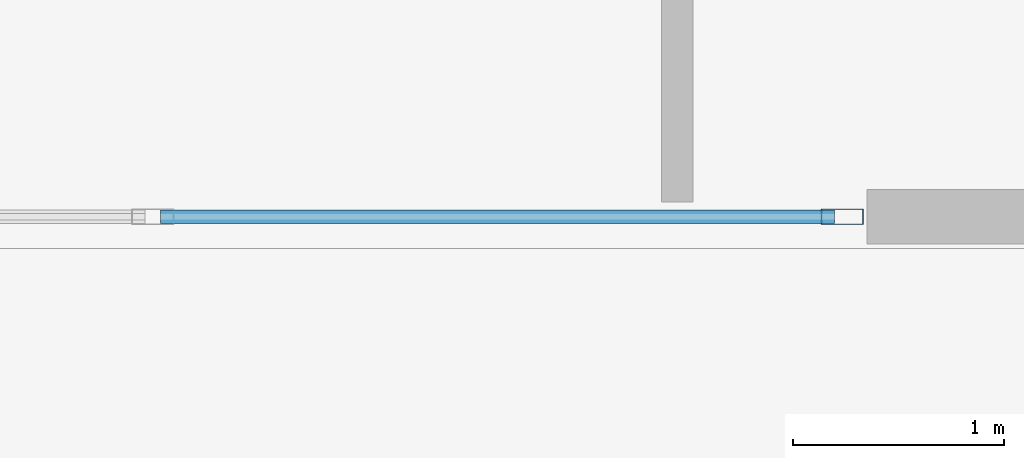
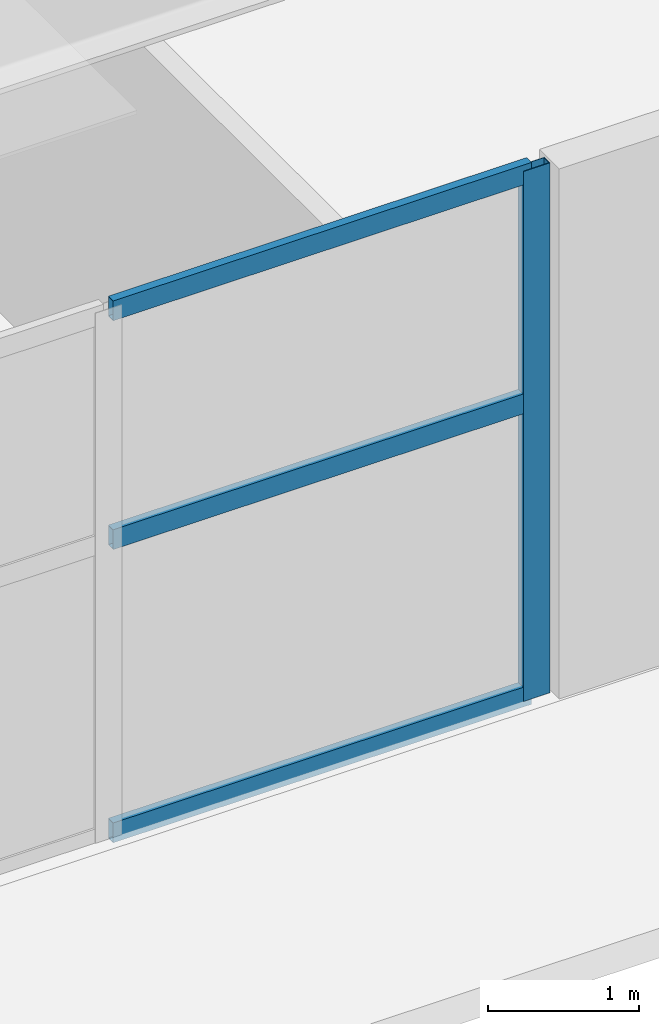
# One storey, part 7 of 18: 4 members, 1 element without a shape of its own.
"""IFC4 building model written with IfcOpenShell, lengths in metres."""

from ifc_helpers import new_model, si_unit, direction, frame, origin, origin_2d, place, context, subcontext, project, spatial, hollow_rectangle, extrude, material, layer, layer_set, material_profile, profile_set, type_object, element, aggregate, save


model = new_model("IFC4")

# Units and contexts
model_context = context("Model", 3, precision=1e-05, world=origin(), true_north=direction((0.0, 1.0)))
body_context = subcontext(model_context, "Body", "Model", "MODEL_VIEW")
ifc_project = project(units=[si_unit("LENGTHUNIT", "METRE"), si_unit("AREAUNIT", "SQUARE_METRE"), si_unit("VOLUMEUNIT", "CUBIC_METRE"), si_unit("PLANEANGLEUNIT", "RADIAN"), si_unit("MASSUNIT", "GRAM", prefix="KILO")], contexts=[model_context])

# Site, building, storey
site_placement = place(None, origin())
site = spatial("IfcSite", under=ifc_project, at=site_placement, CompositionType="ELEMENT")
building_placement = place(site_placement, origin())
building = spatial("IfcBuilding", under=site, at=building_placement, Name="Solvane Sanctuary Tower", CompositionType="ELEMENT")
storey_placement = place(building_placement, origin())
storey = spatial("IfcBuildingStorey", under=building, at=storey_placement, Name="L01", CompositionType="ELEMENT", Elevation=0.0)

# Curtain wall, members
ifc_material = material(Name="Anodised Aluminium 6063-T6", Category="aluminium")
ifc_layer = layer(ifc_material, 0.159912109375, Name="Anodised Aluminium 6063-T6")
ifc_layer_set = layer_set([ifc_layer], Name="Anodised Aluminium 6063-T6")
curtain_wall_type = type_object("IfcCurtainWallType", Name="Curtain Wall CW-POD", PredefinedType="NOTDEFINED", material=ifc_layer_set)
curtain_wall_placement = place(storey_placement, origin())
curtain_wall = element("IfcCurtainWall", 1, at=curtain_wall_placement, inside=storey, type_object=curtain_wall_type, Name="L01 Arrival Curtain Wall S4", PredefinedType="NOTDEFINED")
ifc_material_profile_1 = material_profile(ifc_material, hollow_rectangle(XDim=0.074951171875, YDim=0.199951171875, WallThickness=0.00390625, at=origin_2d()), Name="ALU200X75X4")
ifc_profile_set_1 = profile_set([ifc_material_profile_1], Name="Anodised Aluminium 6063-T6")
member_type_1 = type_object("IfcMemberType", Name="Member M-CW-MUL-1 ALU200X75X4", PredefinedType="MULLION", material=ifc_profile_set_1)
member_1_placement = place(storey_placement, frame((49.96240234375, 0.14990234375, 0.0), z_axis=(0.0, 0.0, 1.0), x_axis=(0.0, 1.0, 0.0)))
member_1 = element("IfcMember", 2, at=member_1_placement, type_object=member_type_1, Name="CW-POD mullion 4", PredefinedType="MULLION", context=body_context, shape_type="SweptSolid", body=[
    extrude(hollow_rectangle(XDim=0.074951171875, YDim=0.199951171875, WallThickness=0.00390625, at=origin_2d()), origin(), (0.0, 0.0, 1.0), 4.280029296875),
])
ifc_material_profile_2 = material_profile(ifc_material, hollow_rectangle(XDim=0.06494140625, YDim=0.159912109375, WallThickness=0.00341796875, at=origin_2d()), Name="ALU160X65X3.5")
ifc_profile_set_2 = profile_set([ifc_material_profile_2], Name="Anodised Aluminium 6063-T6")
member_type_2 = type_object("IfcMemberType", Name="Member M-CW-TRN-1 ALU160X65X3.5", PredefinedType="USERDEFINED", material=ifc_profile_set_2)
member_2_placement = place(storey_placement, frame((46.730712890625, 0.14990234375, 0.032470703125), z_axis=(1.0, 0.0, 0.0), x_axis=(0.0, 1.0, 0.0)))
member_2 = element("IfcMember", 3, at=member_2_placement, type_object=member_type_2, Name="CW-POD transom 3.1", ObjectType="TRANSOM", PredefinedType="USERDEFINED", context=body_context, shape_type="SweptSolid", body=[
    extrude(hollow_rectangle(XDim=0.06494140625, YDim=0.159912109375, WallThickness=0.00341796875, at=origin_2d()), origin(), (0.0, 0.0, 1.0), 3.1943359375),
])
member_3_placement = place(storey_placement, frame((46.730712890625, 0.14990234375, 2.39990234375), z_axis=(1.0, 0.0, 0.0), x_axis=(0.0, 1.0, 0.0)))
member_3 = element("IfcMember", 4, at=member_3_placement, type_object=member_type_2, Name="CW-POD transom 3.2", ObjectType="TRANSOM", PredefinedType="USERDEFINED", context=body_context, shape_type="SweptSolid", body=[
    extrude(hollow_rectangle(XDim=0.06494140625, YDim=0.159912109375, WallThickness=0.00341796875, at=origin_2d()), origin(), (0.0, 0.0, 1.0), 3.1943359375),
])
member_4_placement = place(storey_placement, frame((46.730712890625, 0.14990234375, 4.24755859375), z_axis=(1.0, 0.0, 0.0), x_axis=(0.0, 1.0, 0.0)))
member_4 = element("IfcMember", 5, at=member_4_placement, type_object=member_type_2, Name="CW-POD transom 3.3", ObjectType="TRANSOM", PredefinedType="USERDEFINED", context=body_context, shape_type="SweptSolid", body=[
    extrude(hollow_rectangle(XDim=0.06494140625, YDim=0.159912109375, WallThickness=0.00341796875, at=origin_2d()), origin(), (0.0, 0.0, 1.0), 3.1943359375),
])
aggregate(curtain_wall, [member_1, member_2, member_3, member_4])

save(model, "model.ifc")
